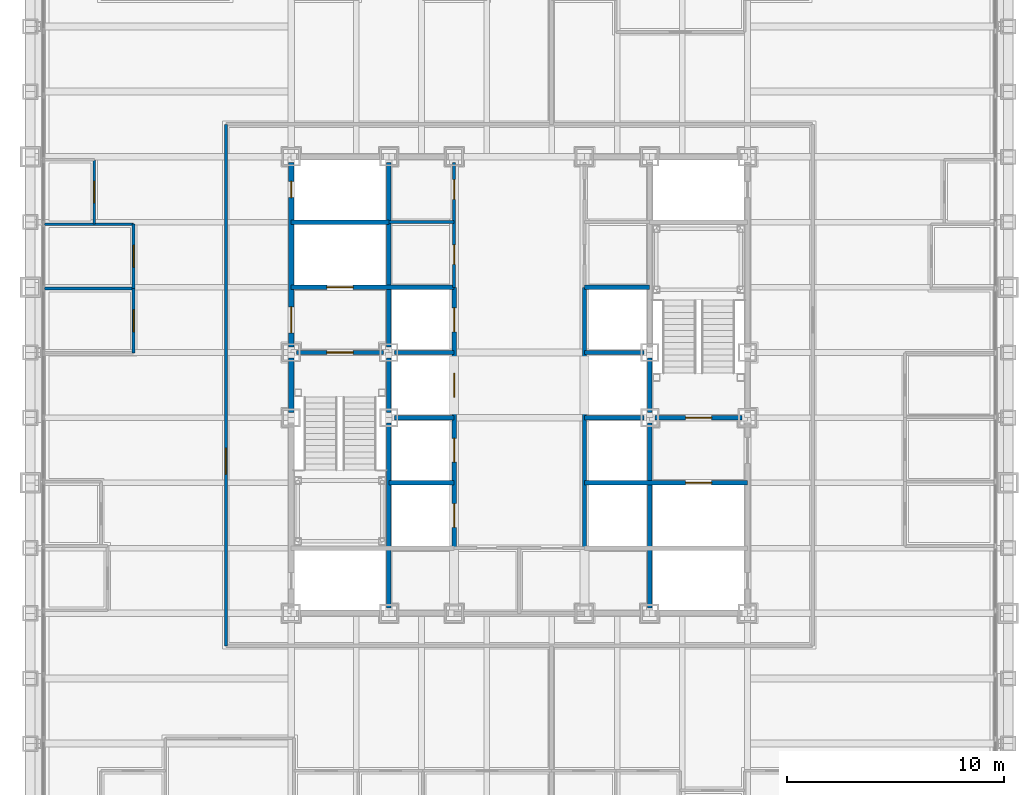
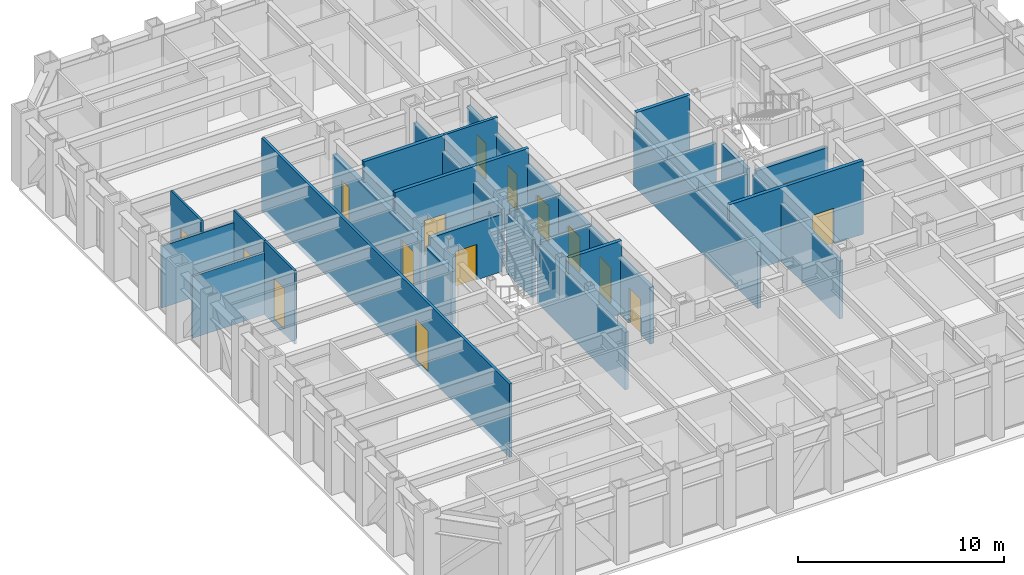
# One storey, part 9 of 16: 28 walls, 16 doors, 16 openings.
"""IFC4 building model written with IfcOpenShell, lengths in metres."""

from ifc_helpers import new_model, si_unit, direction, frame, frame_2d, origin, place, context, subcontext, project, spatial, rectangle, extrude, material, layer, layer_set, type_object, element, fill, save


model = new_model("IFC4")

# Units and contexts
model_context = context("Model", 3, precision=1e-05, world=origin(), true_north=direction((0.0, 1.0)))
body_context = subcontext(model_context, "Body", "Model", "MODEL_VIEW")
ifc_project = project(units=[si_unit("LENGTHUNIT", "METRE"), si_unit("AREAUNIT", "SQUARE_METRE"), si_unit("VOLUMEUNIT", "CUBIC_METRE"), si_unit("PLANEANGLEUNIT", "RADIAN"), si_unit("MASSUNIT", "GRAM", prefix="KILO")], contexts=[model_context])

# Site, building, storey
site_placement = place(None, origin())
site = spatial("IfcSite", under=ifc_project, at=site_placement, CompositionType="ELEMENT")
building_placement = place(site_placement, origin())
building = spatial("IfcBuilding", under=site, at=building_placement, Name="Chuquiago Exchange Tower", CompositionType="ELEMENT")
storey_placement = place(building_placement, frame((0.0, 0.0, 55.800048828125)))
storey = spatial("IfcBuildingStorey", under=building, at=storey_placement, Name="L11", CompositionType="ELEMENT", Elevation=55.800048828125)

# Wall
ifc_material_1 = material(Name="Concrete masonry, fully grouted", Category="masonry")
ifc_layer_1 = layer(ifc_material_1, 0.25)
ifc_layer_set_1 = layer_set([ifc_layer_1], Name="W1 core wall 250")
wall_type_1 = type_object("IfcWallType", Name="W1 core wall 250", PredefinedType="SOLIDWALL", material=ifc_layer_set_1)
wall_1_placement = place(storey_placement, frame((12.0, 21.25, 0.0), z_axis=(0.0, 0.0, 1.0), x_axis=(0.0, 1.0, 0.0)))
element("IfcWall", 1, at=wall_1_placement, inside=storey, type_object=wall_type_1, Name="CW-L11-00-1", PredefinedType="SOLIDWALL", context=body_context, shape_type="SweptSolid", body=[
    extrude(rectangle(XDim=2.5, YDim=0.25, at=frame_2d((1.25, 0.0))), origin(), (0.0, 0.0, 1.0), 3.11279296875),
])

# Wall, openings, doors
wall_2_placement = place(storey_placement, frame((12.0, 24.25, 0.0), z_axis=(0.0, 0.0, 1.0), x_axis=(0.0, 1.0, 0.0)))
wall_2 = element("IfcWall", 2, at=wall_2_placement, inside=storey, type_object=wall_type_1, Name="CW-L11-00-2", PredefinedType="SOLIDWALL", context=body_context, shape_type="SweptSolid", body=[
    extrude(rectangle(XDim=8.5, YDim=0.25, at=frame_2d((4.25, 0.0))), origin(), (0.0, 0.0, 1.0), 3.11279296875),
])
opening_1_placement = place(wall_2_placement, frame((0.64990234375, 0.0, 0.0)))
opening_1 = element("IfcOpeningElement", 3, at=opening_1_placement, cuts=wall_2, Name="Opening L11-002", PredefinedType="OPENING", context=body_context, shape_type="SweptSolid", body=[
    extrude(rectangle(XDim=1.199951171875, YDim=2.10009765625, at=frame_2d((0.60009765625, 1.050048828125))), frame((0.0, 0.135009765625, 0.0), z_axis=(0.0, -1.0, 0.0), x_axis=(1.0, 0.0, 0.0)), (0.0, 0.0, 1.0), 0.27001953125),
])
opening_2_placement = place(wall_2_placement, frame((6.875, 0.0, 0.0)))
opening_2 = element("IfcOpeningElement", 4, at=opening_2_placement, cuts=wall_2, Name="Opening L11-008", PredefinedType="OPENING", context=body_context, shape_type="SweptSolid", body=[
    extrude(rectangle(XDim=0.75, YDim=2.10009765625, at=frame_2d((0.375, 1.050048828125))), frame((0.0, 0.135009765625, 0.0), z_axis=(0.0, -1.0, 0.0), x_axis=(1.0, 0.0, 0.0)), (0.0, 0.0, 1.0), 0.27001953125),
])
ifc_material_2 = material(Name="Steel door, painted", Category="steel")
door_type_1 = type_object("IfcDoorType", Name="D5 firefighting lobby door 1200x2100", OperationType="SINGLE_SWING_LEFT", PredefinedType="DOOR", material=ifc_material_2)
door_1_placement = place(opening_1_placement, frame((1.199951171875, 0.0, 0.0), z_axis=(0.0, 0.0, 1.0), x_axis=(-1.0, 0.0, 0.0)))
door_1 = element("IfcDoor", 5, at=door_1_placement, inside=storey, type_object=door_type_1, Name="Firefighting lobby 1 door", OperationType="SINGLE_SWING_RIGHT", OverallHeight=2.10009765625, OverallWidth=1.199951171875, PredefinedType="DOOR", context=body_context, shape_type="SweptSolid", body=[
    extrude(rectangle(XDim=1.199951171875, YDim=2.10009765625, at=frame_2d((0.60009765625, 1.050048828125))), frame((0.0, 0.02490234375, 0.0), z_axis=(0.0, -1.0, 0.0), x_axis=(1.0, 0.0, 0.0)), (0.0, 0.0, 1.0), 0.050048828125),
])
fill(opening_1, door_1)
ifc_material_3 = material(Name="Steel door, painted", Category="steel")
door_type_2 = type_object("IfcDoorType", Name="D6 riser access door 750x2100", OperationType="SINGLE_SWING_LEFT", PredefinedType="DOOR", material=ifc_material_3)
door_2_placement = place(opening_2_placement, origin())
door_2 = element("IfcDoor", 6, at=door_2_placement, inside=storey, type_object=door_type_2, Name="Riser RW2 door", OperationType="SINGLE_SWING_RIGHT", OverallHeight=2.10009765625, OverallWidth=0.75, PredefinedType="DOOR", context=body_context, shape_type="SweptSolid", body=[
    extrude(rectangle(XDim=0.75, YDim=2.10009765625, at=frame_2d((0.375, 1.050048828125))), frame((0.0, 0.02490234375, 0.0), z_axis=(0.0, -1.0, 0.0), x_axis=(1.0, 0.0, 0.0)), (0.0, 0.0, 1.0), 0.050048828125),
])
fill(opening_2, door_2)

# Wall, opening, door
ifc_material_4 = material(Name="Gypsum board on steel studs, acoustic insulation", Category="steel")
ifc_layer_2 = layer(ifc_material_4, 0.14990234375)
ifc_layer_set_2 = layer_set([ifc_layer_2], Name="W11 corridor wall 150")
wall_type_2 = type_object("IfcWallType", Name="W11 corridor wall 150", PredefinedType="PARTITIONING", material=ifc_layer_set_2)
wall_3_placement = place(storey_placement, frame((9.0, 10.5, -0.300048828125), z_axis=(0.0, 0.0, 1.0), x_axis=(0.0, 1.0, 0.0)))
wall_3 = element("IfcWall", 7, at=wall_3_placement, inside=storey, type_object=wall_type_2, Name="PW-L11-CW", PredefinedType="PARTITIONING", context=body_context, shape_type="SweptSolid", body=[
    extrude(rectangle(XDim=24.0, YDim=0.14990234375, at=frame_2d((12.0, 0.0))), origin(), (0.0, 0.0, 1.0), 4.340087890625),
])
opening_3_placement = place(wall_3_placement, frame((7.89990234375, 0.0, 0.300048828125)))
opening_3 = element("IfcOpeningElement", 8, at=opening_3_placement, cuts=wall_3, Name="Opening L11-053", PredefinedType="OPENING", context=body_context, shape_type="SweptSolid", body=[
    extrude(rectangle(XDim=1.199951171875, YDim=2.39990234375, at=frame_2d((0.60009765625, 1.199951171875))), frame((0.0, 0.0849609375, 0.0), z_axis=(0.0, -1.0, 0.0), x_axis=(1.0, 0.0, 0.0)), (0.0, 0.0, 1.0), 0.169921875),
])
ifc_material_5 = material(Name="Timber door, laminate faced", Category="wood")
door_type_3 = type_object("IfcDoorType", Name="D13 suite entrance door 1200x2400", OperationType="SINGLE_SWING_LEFT", PredefinedType="DOOR", material=ifc_material_5)
door_3_placement = place(opening_3_placement, frame((1.199951171875, 0.0, 0.0), z_axis=(0.0, 0.0, 1.0), x_axis=(-1.0, 0.0, 0.0)))
door_3 = element("IfcDoor", 9, at=door_3_placement, inside=storey, type_object=door_type_3, Name="West suite entrance door", OperationType="SINGLE_SWING_RIGHT", OverallHeight=2.39990234375, OverallWidth=1.199951171875, PredefinedType="DOOR", context=body_context, shape_type="SweptSolid", body=[
    extrude(rectangle(XDim=1.199951171875, YDim=2.39990234375, at=frame_2d((0.60009765625, 1.199951171875))), frame((0.0, 0.02490234375, 0.0), z_axis=(0.0, -1.0, 0.0), x_axis=(1.0, 0.0, 0.0)), (0.0, 0.0, 1.0), 0.050048828125),
])
fill(opening_3, door_3)

ifc_material_6 = material(Name="Concrete masonry, fully grouted", Category="masonry")
ifc_layer_3 = layer(ifc_material_6, 0.199951171875)
ifc_layer_set_3 = layer_set([ifc_layer_3], Name="W2 shaft wall 200")
wall_type_3 = type_object("IfcWallType", Name="W2 shaft wall 200", PredefinedType="SOLIDWALL", material=ifc_layer_set_3)
wall_4_placement = place(storey_placement, frame((12.25, 24.0, 0.0), z_axis=(0.0, 0.0, 1.0), x_axis=(1.0, 0.0, 0.0)))
wall_4 = element("IfcWall", 10, at=wall_4_placement, inside=storey, type_object=wall_type_3, Name="CW-L11-05-0", PredefinedType="SOLIDWALL", context=body_context, shape_type="SweptSolid", body=[
    extrude(rectangle(XDim=4.0, YDim=0.199951171875, at=frame_2d((2.0, 0.0))), origin(), (0.0, 0.0, 1.0), 3.389892578125),
])
opening_4_placement = place(wall_4_placement, frame((1.39990234375, 0.0, 0.0)))
opening_4 = element("IfcOpeningElement", 11, at=opening_4_placement, cuts=wall_4, Name="Opening L11-001", PredefinedType="OPENING", context=body_context, shape_type="SweptSolid", body=[
    extrude(rectangle(XDim=1.199951171875, YDim=2.10009765625, at=frame_2d((0.60009765625, 1.050048828125))), frame((0.0, 0.10986328125, 0.0), z_axis=(0.0, -1.0, 0.0), x_axis=(1.0, 0.0, 0.0)), (0.0, 0.0, 1.0), 0.219970703125),
])
ifc_material_7 = material(Name="Steel door, painted", Category="steel")
door_type_4 = type_object("IfcDoorType", Name="D4 stair door 1200x2100", OperationType="SINGLE_SWING_LEFT", PredefinedType="DOOR", material=ifc_material_7)
door_4_placement = place(opening_4_placement, frame((1.199951171875, 0.0, 0.0), z_axis=(0.0, 0.0, 1.0), x_axis=(-1.0, 0.0, 0.0)))
door_4 = element("IfcDoor", 12, at=door_4_placement, inside=storey, type_object=door_type_4, Name="Stair ST1 door", OperationType="SINGLE_SWING_RIGHT", OverallHeight=2.10009765625, OverallWidth=1.199951171875, PredefinedType="DOOR", context=body_context, shape_type="SweptSolid", body=[
    extrude(rectangle(XDim=1.199951171875, YDim=2.10009765625, at=frame_2d((0.60009765625, 1.050048828125))), frame((0.0, 0.02490234375, 0.0), z_axis=(0.0, -1.0, 0.0), x_axis=(1.0, 0.0, 0.0)), (0.0, 0.0, 1.0), 0.050048828125),
])
fill(opening_4, door_4)

# Walls
for number, where, z_axis, x_axis, name in (
    (13, (16.75, 24.0, 0.0), (0.0, 0.0, 1.0), (1.0, 0.0, 0.0), "CW-L11-05-1"),
    (14, (25.5, 24.0, 0.0), (0.0, 0.0, 1.0), (1.0, 0.0, 0.0), "CW-L11-06-0"),
):
    element("IfcWall", number, at=place(storey_placement, frame(where, z_axis=z_axis, x_axis=x_axis)), inside=storey, type_object=wall_type_3, Name=name, PredefinedType="SOLIDWALL", context=body_context, shape_type="SweptSolid", body=[
        extrude(rectangle(XDim=2.75, YDim=0.199951171875, at=frame_2d((1.375, 0.0))), origin(), (0.0, 0.0, 1.0), 3.389892578125),
    ])

# Wall, opening, door
wall_5_placement = place(storey_placement, frame((12.0, 27.0, 0.0), z_axis=(0.0, 0.0, 1.0), x_axis=(1.0, 0.0, 0.0)))
wall_5 = element("IfcWall", 15, at=wall_5_placement, inside=storey, type_object=wall_type_3, Name="CW-L11-07-0", PredefinedType="SOLIDWALL", context=body_context, shape_type="SweptSolid", body=[
    extrude(rectangle(XDim=7.5, YDim=0.199951171875, at=frame_2d((3.75, 0.0))), origin(), (0.0, 0.0, 1.0), 4.33984375),
])
opening_5_placement = place(wall_5_placement, frame((1.64990234375, 0.0, 0.0)))
opening_5 = element("IfcOpeningElement", 16, at=opening_5_placement, cuts=wall_5, Name="Opening L11-005", PredefinedType="OPENING", context=body_context, shape_type="SweptSolid", body=[
    extrude(rectangle(XDim=1.199951171875, YDim=2.10009765625, at=frame_2d((0.60009765625, 1.050048828125))), frame((0.0, 0.10986328125, 0.0), z_axis=(0.0, -1.0, 0.0), x_axis=(1.0, 0.0, 0.0)), (0.0, 0.0, 1.0), 0.219970703125),
])
ifc_material_8 = material(Name="Stainless steel lift landing door", Category="steel")
door_type_5 = type_object("IfcDoorType", Name="LD2 firefighting lift landing door 1200x2100", OperationType="DOUBLE_DOOR_SLIDING", PredefinedType="DOOR", material=ifc_material_8)
door_5_placement = place(opening_5_placement, origin())
door_5 = element("IfcDoor", 17, at=door_5_placement, inside=storey, type_object=door_type_5, Name="Firefighting lift FL1 landing door", OperationType="DOUBLE_DOOR_SLIDING", OverallHeight=2.10009765625, OverallWidth=1.199951171875, PredefinedType="DOOR", context=body_context, shape_type="SweptSolid", body=[
    extrude(rectangle(XDim=1.199951171875, YDim=2.10009765625, at=frame_2d((0.60009765625, 1.050048828125))), frame((0.0, 0.02490234375, 0.0), z_axis=(0.0, -1.0, 0.0), x_axis=(1.0, 0.0, 0.0)), (0.0, 0.0, 1.0), 0.050048828125),
])
fill(opening_5, door_5)

# Walls
wall_6_placement = place(storey_placement, frame((25.5, 27.0, 0.0), z_axis=(0.0, 0.0, 1.0), x_axis=(1.0, 0.0, 0.0)))
element("IfcWall", 18, at=wall_6_placement, inside=storey, type_object=wall_type_3, Name="CW-L11-08-0", PredefinedType="SOLIDWALL", context=body_context, shape_type="SweptSolid", body=[
    extrude(rectangle(XDim=3.0, YDim=0.199951171875, at=frame_2d((1.5, 0.0))), origin(), (0.0, 0.0, 1.0), 4.33984375),
])
wall_7_placement = place(storey_placement, frame((12.0, 30.0, 0.0), z_axis=(0.0, 0.0, 1.0), x_axis=(1.0, 0.0, 0.0)))
element("IfcWall", 19, at=wall_7_placement, inside=storey, type_object=wall_type_3, Name="CW-L11-09-0", PredefinedType="SOLIDWALL", context=body_context, shape_type="SweptSolid", body=[
    extrude(rectangle(XDim=4.5, YDim=0.199951171875, at=frame_2d((2.25, 0.0))), origin(), (0.0, 0.0, 1.0), 4.33984375),
])
wall_8_placement = place(storey_placement, frame((16.5, 12.25, 0.0), z_axis=(0.0, 0.0, 1.0), x_axis=(0.0, 1.0, 0.0)))
element("IfcWall", 20, at=wall_8_placement, inside=storey, type_object=wall_type_3, Name="CW-L11-13-0", PredefinedType="SOLIDWALL", context=body_context, shape_type="SweptSolid", body=[
    extrude(rectangle(XDim=8.5, YDim=0.199951171875, at=frame_2d((4.25, 0.0))), origin(), (0.0, 0.0, 1.0), 3.412841796875),
])
wall_9_placement = place(storey_placement, frame((16.5, 21.25, 0.0), z_axis=(0.0, 0.0, 1.0), x_axis=(0.0, 1.0, 0.0)))
element("IfcWall", 21, at=wall_9_placement, inside=storey, type_object=wall_type_3, Name="CW-L11-13-1", PredefinedType="SOLIDWALL", context=body_context, shape_type="SweptSolid", body=[
    extrude(rectangle(XDim=2.5, YDim=0.199951171875, at=frame_2d((1.25, 0.0))), origin(), (0.0, 0.0, 1.0), 3.412841796875),
])
wall_10_placement = place(storey_placement, frame((16.5, 24.25, 0.0), z_axis=(0.0, 0.0, 1.0), x_axis=(0.0, 1.0, 0.0)))
element("IfcWall", 22, at=wall_10_placement, inside=storey, type_object=wall_type_3, Name="CW-L11-13-2", PredefinedType="SOLIDWALL", context=body_context, shape_type="SweptSolid", body=[
    extrude(rectangle(XDim=8.5, YDim=0.199951171875, at=frame_2d((4.25, 0.0))), origin(), (0.0, 0.0, 1.0), 3.412841796875),
])
wall_11_placement = place(storey_placement, frame((16.5, 18.0, 0.0), z_axis=(0.0, 0.0, 1.0), x_axis=(1.0, 0.0, 0.0)))
element("IfcWall", 23, at=wall_11_placement, inside=storey, type_object=wall_type_3, Name="CW-L11-14-0", PredefinedType="SOLIDWALL", context=body_context, shape_type="SweptSolid", body=[
    extrude(rectangle(XDim=3.0, YDim=0.199951171875, at=frame_2d((1.5, 0.0))), origin(), (0.0, 0.0, 1.0), 4.33984375),
])

# Wall, opening, door
wall_12_placement = place(storey_placement, frame((25.5, 18.0, 0.0), z_axis=(0.0, 0.0, 1.0), x_axis=(1.0, 0.0, 0.0)))
wall_12 = element("IfcWall", 24, at=wall_12_placement, inside=storey, type_object=wall_type_3, Name="CW-L11-15-0", PredefinedType="SOLIDWALL", context=body_context, shape_type="SweptSolid", body=[
    extrude(rectangle(XDim=7.5, YDim=0.199951171875, at=frame_2d((3.75, 0.0))), origin(), (0.0, 0.0, 1.0), 4.33984375),
])
opening_6_placement = place(wall_12_placement, frame((4.64990234375, 0.0, 0.0)))
opening_6 = element("IfcOpeningElement", 25, at=opening_6_placement, cuts=wall_12, Name="Opening L11-006", PredefinedType="OPENING", context=body_context, shape_type="SweptSolid", body=[
    extrude(rectangle(XDim=1.199951171875, YDim=2.10009765625, at=frame_2d((0.60009765625, 1.050048828125))), frame((0.0, 0.10986328125, 0.0), z_axis=(0.0, -1.0, 0.0), x_axis=(1.0, 0.0, 0.0)), (0.0, 0.0, 1.0), 0.219970703125),
])
door_6_placement = place(opening_6_placement, origin())
door_6 = element("IfcDoor", 26, at=door_6_placement, inside=storey, type_object=door_type_5, Name="Firefighting lift FL2 landing door", OperationType="DOUBLE_DOOR_SLIDING", OverallHeight=2.10009765625, OverallWidth=1.199951171875, PredefinedType="DOOR", context=body_context, shape_type="SweptSolid", body=[
    extrude(rectangle(XDim=1.199951171875, YDim=2.10009765625, at=frame_2d((0.60009765625, 1.050048828125))), frame((0.0, 0.02490234375, 0.0), z_axis=(0.0, -1.0, 0.0), x_axis=(1.0, 0.0, 0.0)), (0.0, 0.0, 1.0), 0.050048828125),
])
fill(opening_6, door_6)

# Walls
for number, where, z_axis, x_axis, name in (
    (27, (16.75, 21.0, 0.0), (0.0, 0.0, 1.0), (1.0, 0.0, 0.0), "CW-L11-16-0"),
    (28, (25.5, 21.0, 0.0), (0.0, 0.0, 1.0), (1.0, 0.0, 0.0), "CW-L11-17-0"),
):
    element("IfcWall", number, at=place(storey_placement, frame(where, z_axis=z_axis, x_axis=x_axis)), inside=storey, type_object=wall_type_3, Name=name, PredefinedType="SOLIDWALL", context=body_context, shape_type="SweptSolid", body=[
        extrude(rectangle(XDim=2.75, YDim=0.199951171875, at=frame_2d((1.375, 0.0))), origin(), (0.0, 0.0, 1.0), 3.389892578125),
    ])

# Wall, opening, door
wall_13_placement = place(storey_placement, frame((28.75, 21.0, 0.0), z_axis=(0.0, 0.0, 1.0), x_axis=(1.0, 0.0, 0.0)))
wall_13 = element("IfcWall", 29, at=wall_13_placement, inside=storey, type_object=wall_type_3, Name="CW-L11-17-1", PredefinedType="SOLIDWALL", context=body_context, shape_type="SweptSolid", body=[
    extrude(rectangle(XDim=4.0, YDim=0.199951171875, at=frame_2d((2.0, 0.0))), origin(), (0.0, 0.0, 1.0), 3.389892578125),
])
opening_7_placement = place(wall_13_placement, frame((1.39990234375, 0.0, 0.0)))
opening_7 = element("IfcOpeningElement", 30, at=opening_7_placement, cuts=wall_13, Name="Opening L11-003", PredefinedType="OPENING", context=body_context, shape_type="SweptSolid", body=[
    extrude(rectangle(XDim=1.199951171875, YDim=2.10009765625, at=frame_2d((0.60009765625, 1.050048828125))), frame((0.0, 0.10986328125, 0.0), z_axis=(0.0, -1.0, 0.0), x_axis=(1.0, 0.0, 0.0)), (0.0, 0.0, 1.0), 0.219970703125),
])
door_7_placement = place(opening_7_placement, origin())
door_7 = element("IfcDoor", 31, at=door_7_placement, inside=storey, type_object=door_type_4, Name="Stair ST2 door", OperationType="SINGLE_SWING_LEFT", OverallHeight=2.10009765625, OverallWidth=1.199951171875, PredefinedType="DOOR", context=body_context, shape_type="SweptSolid", body=[
    extrude(rectangle(XDim=1.199951171875, YDim=2.10009765625, at=frame_2d((0.60009765625, 1.050048828125))), frame((0.0, 0.02490234375, 0.0), z_axis=(0.0, -1.0, 0.0), x_axis=(1.0, 0.0, 0.0)), (0.0, 0.0, 1.0), 0.050048828125),
])
fill(opening_7, door_7)

# Wall, openings, doors
wall_14_placement = place(storey_placement, frame((19.5, 15.0, 0.0), z_axis=(0.0, 0.0, 1.0), x_axis=(0.0, 1.0, 0.0)))
wall_14 = element("IfcWall", 32, at=wall_14_placement, inside=storey, type_object=wall_type_3, Name="CW-L11-19-0", PredefinedType="SOLIDWALL", context=body_context, shape_type="SweptSolid", body=[
    extrude(rectangle(XDim=12.0, YDim=0.199951171875, at=frame_2d((6.0, 0.0))), origin(), (0.0, 0.0, 1.0), 3.364501953125),
])
opening_8_placement = place(wall_14_placement, frame((0.949951171875, 0.0, 0.0)))
opening_8 = element("IfcOpeningElement", 33, at=opening_8_placement, cuts=wall_14, Name="Opening L11-017", PredefinedType="OPENING", context=body_context, shape_type="SweptSolid", body=[
    extrude(rectangle(XDim=1.10009765625, YDim=2.10009765625, at=frame_2d((0.550048828125, 1.050048828125))), frame((0.0, 0.10986328125, 0.0), z_axis=(0.0, -1.0, 0.0), x_axis=(1.0, 0.0, 0.0)), (0.0, 0.0, 1.0), 0.219970703125),
])
opening_9_placement = place(wall_14_placement, frame((3.949951171875, 0.0, 0.0)))
opening_9 = element("IfcOpeningElement", 34, at=opening_9_placement, cuts=wall_14, Name="Opening L11-018", PredefinedType="OPENING", context=body_context, shape_type="SweptSolid", body=[
    extrude(rectangle(XDim=1.10009765625, YDim=2.10009765625, at=frame_2d((0.550048828125, 1.050048828125))), frame((0.0, 0.10986328125, 0.0), z_axis=(0.0, -1.0, 0.0), x_axis=(1.0, 0.0, 0.0)), (0.0, 0.0, 1.0), 0.219970703125),
])
opening_10_placement = place(wall_14_placement, frame((6.949951171875, 0.0, 0.0)))
opening_10 = element("IfcOpeningElement", 35, at=opening_10_placement, cuts=wall_14, Name="Opening L11-019", PredefinedType="OPENING", context=body_context, shape_type="SweptSolid", body=[
    extrude(rectangle(XDim=1.10009765625, YDim=2.10009765625, at=frame_2d((0.550048828125, 1.050048828125))), frame((0.0, 0.10986328125, 0.0), z_axis=(0.0, -1.0, 0.0), x_axis=(1.0, 0.0, 0.0)), (0.0, 0.0, 1.0), 0.219970703125),
])
opening_11_placement = place(wall_14_placement, frame((9.949951171875, 0.0, 0.0)))
opening_11 = element("IfcOpeningElement", 36, at=opening_11_placement, cuts=wall_14, Name="Opening L11-020", PredefinedType="OPENING", context=body_context, shape_type="SweptSolid", body=[
    extrude(rectangle(XDim=1.10009765625, YDim=2.10009765625, at=frame_2d((0.550048828125, 1.050048828125))), frame((0.0, 0.10986328125, 0.0), z_axis=(0.0, -1.0, 0.0), x_axis=(1.0, 0.0, 0.0)), (0.0, 0.0, 1.0), 0.219970703125),
])
ifc_material_9 = material(Name="Stainless steel lift landing door", Category="steel")
door_type_6 = type_object("IfcDoorType", Name="LD1 lift landing door 1100x2100", OperationType="DOUBLE_DOOR_SLIDING", PredefinedType="DOOR", material=ifc_material_9)
door_8_placement = place(opening_8_placement, origin())
door_8 = element("IfcDoor", 37, at=door_8_placement, inside=storey, type_object=door_type_6, Name="Lift LA1 landing door", OperationType="DOUBLE_DOOR_SLIDING", OverallHeight=2.10009765625, OverallWidth=1.10009765625, PredefinedType="DOOR", context=body_context, shape_type="SweptSolid", body=[
    extrude(rectangle(XDim=1.10009765625, YDim=2.10009765625, at=frame_2d((0.550048828125, 1.050048828125))), frame((0.0, 0.02490234375, 0.0), z_axis=(0.0, -1.0, 0.0), x_axis=(1.0, 0.0, 0.0)), (0.0, 0.0, 1.0), 0.050048828125),
])
fill(opening_8, door_8)
door_9_placement = place(opening_9_placement, origin())
door_9 = element("IfcDoor", 38, at=door_9_placement, inside=storey, type_object=door_type_6, Name="Lift LA2 landing door", OperationType="DOUBLE_DOOR_SLIDING", OverallHeight=2.10009765625, OverallWidth=1.10009765625, PredefinedType="DOOR", context=body_context, shape_type="SweptSolid", body=[
    extrude(rectangle(XDim=1.10009765625, YDim=2.10009765625, at=frame_2d((0.550048828125, 1.050048828125))), frame((0.0, 0.02490234375, 0.0), z_axis=(0.0, -1.0, 0.0), x_axis=(1.0, 0.0, 0.0)), (0.0, 0.0, 1.0), 0.050048828125),
])
fill(opening_9, door_9)
door_10_placement = place(opening_10_placement, origin())
door_10 = element("IfcDoor", 39, at=door_10_placement, inside=storey, type_object=door_type_6, Name="Lift LA3 landing door", OperationType="DOUBLE_DOOR_SLIDING", OverallHeight=2.10009765625, OverallWidth=1.10009765625, PredefinedType="DOOR", context=body_context, shape_type="SweptSolid", body=[
    extrude(rectangle(XDim=1.10009765625, YDim=2.10009765625, at=frame_2d((0.550048828125, 1.050048828125))), frame((0.0, 0.02490234375, 0.0), z_axis=(0.0, -1.0, 0.0), x_axis=(1.0, 0.0, 0.0)), (0.0, 0.0, 1.0), 0.050048828125),
])
fill(opening_10, door_10)
door_11_placement = place(opening_11_placement, origin())
door_11 = element("IfcDoor", 40, at=door_11_placement, inside=storey, type_object=door_type_6, Name="Lift LA4 landing door", OperationType="DOUBLE_DOOR_SLIDING", OverallHeight=2.10009765625, OverallWidth=1.10009765625, PredefinedType="DOOR", context=body_context, shape_type="SweptSolid", body=[
    extrude(rectangle(XDim=1.10009765625, YDim=2.10009765625, at=frame_2d((0.550048828125, 1.050048828125))), frame((0.0, 0.02490234375, 0.0), z_axis=(0.0, -1.0, 0.0), x_axis=(1.0, 0.0, 0.0)), (0.0, 0.0, 1.0), 0.050048828125),
])
fill(opening_11, door_11)

# Walls
wall_15_placement = place(storey_placement, frame((25.5, 15.0, 0.0), z_axis=(0.0, 0.0, 1.0), x_axis=(0.0, 1.0, 0.0)))
element("IfcWall", 41, at=wall_15_placement, inside=storey, type_object=wall_type_3, Name="CW-L11-22-0", PredefinedType="SOLIDWALL", context=body_context, shape_type="SweptSolid", body=[
    extrude(rectangle(XDim=12.0, YDim=0.199951171875, at=frame_2d((6.0, 0.0))), origin(), (0.0, 0.0, 1.0), 3.364501953125),
])
wall_16_placement = place(storey_placement, frame((28.5, 12.25, 0.0), z_axis=(0.0, 0.0, 1.0), x_axis=(0.0, 1.0, 0.0)))
element("IfcWall", 42, at=wall_16_placement, inside=storey, type_object=wall_type_3, Name="CW-L11-24-0", PredefinedType="SOLIDWALL", context=body_context, shape_type="SweptSolid", body=[
    extrude(rectangle(XDim=8.5, YDim=0.199951171875, at=frame_2d((4.25, 0.0))), origin(), (0.0, 0.0, 1.0), 3.412841796875),
])
wall_17_placement = place(storey_placement, frame((28.5, 21.25, 0.0), z_axis=(0.0, 0.0, 1.0), x_axis=(0.0, 1.0, 0.0)))
element("IfcWall", 43, at=wall_17_placement, inside=storey, type_object=wall_type_3, Name="CW-L11-24-1", PredefinedType="SOLIDWALL", context=body_context, shape_type="SweptSolid", body=[
    extrude(rectangle(XDim=2.5, YDim=0.199951171875, at=frame_2d((1.25, 0.0))), origin(), (0.0, 0.0, 1.0), 3.412841796875),
])

# Wall, openings, doors
ifc_material_10 = material(Name="Gypsum board on steel studs", Category="steel")
ifc_layer_4 = layer(ifc_material_10, 0.14990234375)
ifc_layer_set_4 = layer_set([ifc_layer_4], Name="W3 core partition 150")
wall_type_4 = type_object("IfcWallType", Name="W3 core partition 150", PredefinedType="PARTITIONING", material=ifc_layer_set_4)
wall_18_placement = place(storey_placement, frame((19.5, 27.0, 0.0), z_axis=(0.0, 0.0, 1.0), x_axis=(0.0, 1.0, 0.0)))
wall_18 = element("IfcWall", 44, at=wall_18_placement, inside=storey, type_object=wall_type_4, Name="CW-L11-20-0", PredefinedType="PARTITIONING", context=body_context, shape_type="SweptSolid", body=[
    extrude(rectangle(XDim=5.75, YDim=0.14990234375, at=frame_2d((2.875, 0.0))), origin(), (0.0, 0.0, 1.0), 3.364501953125),
])
opening_12_placement = place(wall_18_placement, frame((1.050048828125, 0.0, 0.0)))
opening_12 = element("IfcOpeningElement", 45, at=opening_12_placement, cuts=wall_18, Name="Opening L11-011", PredefinedType="OPENING", context=body_context, shape_type="SweptSolid", body=[
    extrude(rectangle(XDim=0.89990234375, YDim=2.10009765625, at=frame_2d((0.449951171875, 1.050048828125))), frame((0.0, 0.0849609375, 0.0), z_axis=(0.0, -1.0, 0.0), x_axis=(1.0, 0.0, 0.0)), (0.0, 0.0, 1.0), 0.169921875),
])
opening_13_placement = place(wall_18_placement, frame((4.050048828125, 0.0, 0.0)))
opening_13 = element("IfcOpeningElement", 46, at=opening_13_placement, cuts=wall_18, Name="Opening L11-012", PredefinedType="OPENING", context=body_context, shape_type="SweptSolid", body=[
    extrude(rectangle(XDim=0.89990234375, YDim=2.10009765625, at=frame_2d((0.449951171875, 1.050048828125))), frame((0.0, 0.0849609375, 0.0), z_axis=(0.0, -1.0, 0.0), x_axis=(1.0, 0.0, 0.0)), (0.0, 0.0, 1.0), 0.169921875),
])
ifc_material_11 = material(Name="Timber door, laminate faced", Category="wood")
door_type_7 = type_object("IfcDoorType", Name="D16 core room door 900x2100", OperationType="SINGLE_SWING_LEFT", PredefinedType="DOOR", material=ifc_material_11)
door_12_placement = place(opening_13_placement, origin())
door_12 = element("IfcDoor", 47, at=door_12_placement, inside=storey, type_object=door_type_7, Name="Staff shower room door", OperationType="SINGLE_SWING_RIGHT", OverallHeight=2.10009765625, OverallWidth=0.89990234375, PredefinedType="DOOR", context=body_context, shape_type="SweptSolid", body=[
    extrude(rectangle(XDim=0.89990234375, YDim=2.10009765625, at=frame_2d((0.449951171875, 1.050048828125))), frame((0.0, 0.02490234375, 0.0), z_axis=(0.0, -1.0, 0.0), x_axis=(1.0, 0.0, 0.0)), (0.0, 0.0, 1.0), 0.050048828125),
])
fill(opening_13, door_12)
ifc_material_12 = material(Name="Timber door, laminate faced", Category="wood")
door_type_8 = type_object("IfcDoorType", Name="D7 toilet door 900x2100", OperationType="SINGLE_SWING_LEFT", PredefinedType="DOOR", material=ifc_material_12)
door_13_placement = place(opening_12_placement, origin())
door_13 = element("IfcDoor", 48, at=door_13_placement, inside=storey, type_object=door_type_8, Name="Male WC door", OperationType="SINGLE_SWING_LEFT", OverallHeight=2.10009765625, OverallWidth=0.89990234375, PredefinedType="DOOR", context=body_context, shape_type="SweptSolid", body=[
    extrude(rectangle(XDim=0.89990234375, YDim=2.10009765625, at=frame_2d((0.449951171875, 1.050048828125))), frame((0.0, 0.02490234375, 0.0), z_axis=(0.0, -1.0, 0.0), x_axis=(1.0, 0.0, 0.0)), (0.0, 0.0, 1.0), 0.050048828125),
])
fill(opening_12, door_13)

# Walls
wall_19_placement = place(storey_placement, frame((16.5, 30.0, 0.0), z_axis=(0.0, 0.0, 1.0), x_axis=(1.0, 0.0, 0.0)))
element("IfcWall", 49, at=wall_19_placement, inside=storey, type_object=wall_type_4, Name="CW-L11-WCMS", PredefinedType="PARTITIONING", context=body_context, shape_type="SweptSolid", body=[
    extrude(rectangle(XDim=3.0, YDim=0.14990234375, at=frame_2d((1.5, 0.0))), origin(), (0.0, 0.0, 1.0), 4.33984375),
])
ifc_material_13 = material(Name="Gypsum board on steel studs", Category="steel")
ifc_layer_5 = layer(ifc_material_13, 0.1201171875)
ifc_layer_set_5 = layer_set([ifc_layer_5], Name="W4 partition 120")
wall_type_5 = type_object("IfcWallType", Name="W4 partition 120", PredefinedType="PARTITIONING", material=ifc_layer_set_5)
for number, where, z_axis, x_axis, name in (
    (50, (0.657470703125, 26.942626953125, -0.300048828125), (0.0, 0.0, 1.0), (1.0, 0.0, 0.0), "PW-L11-W02694"),
    (51, (0.657470703125, 29.904296875, -0.300048828125), (0.0, 0.0, 1.0), (1.0, 0.0, 0.0), "PW-L11-W02990"),
):
    element("IfcWall", number, at=place(storey_placement, frame(where, z_axis=z_axis, x_axis=x_axis)), inside=storey, type_object=wall_type_5, Name=name, PredefinedType="PARTITIONING", context=body_context, shape_type="SweptSolid", body=[
        extrude(rectangle(XDim=4.092529296875, YDim=0.1201171875, at=frame_2d((2.04638671875, 0.0))), origin(), (0.0, 0.0, 1.0), 3.646484375),
    ])

# Wall, opening, door
wall_20_placement = place(storey_placement, frame((4.75, 23.98095703125, -0.300048828125), z_axis=(0.0, 0.0, 1.0), x_axis=(0.0, 1.0, 0.0)))
wall_20 = element("IfcWall", 52, at=wall_20_placement, inside=storey, type_object=wall_type_5, Name="PW-L11-WF02398", PredefinedType="PARTITIONING", context=body_context, shape_type="SweptSolid", body=[
    extrude(rectangle(XDim=2.961669921875, YDim=0.1201171875, at=frame_2d((1.48095703125, 0.0))), origin(), (0.0, 0.0, 1.0), 4.340087890625),
])
opening_14_placement = place(wall_20_placement, frame((0.98095703125, 0.0, 0.300048828125)))
opening_14 = element("IfcOpeningElement", 53, at=opening_14_placement, cuts=wall_20, Name="Opening L11-050", PredefinedType="OPENING", context=body_context, shape_type="SweptSolid", body=[
    extrude(rectangle(XDim=1.0, YDim=2.39990234375, at=frame_2d((0.5, 1.199951171875))), frame((0.0, 0.070068359375, 0.0), z_axis=(0.0, -1.0, 0.0), x_axis=(1.0, 0.0, 0.0)), (0.0, 0.0, 1.0), 0.14013671875),
])
ifc_material_14 = material(Name="Timber door, laminate faced", Category="wood")
door_type_9 = type_object("IfcDoorType", Name="D9 room door 1000x2400", OperationType="SINGLE_SWING_LEFT", PredefinedType="DOOR", material=ifc_material_14)
door_14_placement = place(opening_14_placement, origin())
door_14 = element("IfcDoor", 54, at=door_14_placement, inside=storey, type_object=door_type_9, Name="Office door", OperationType="SINGLE_SWING_RIGHT", OverallHeight=2.39990234375, OverallWidth=1.0, PredefinedType="DOOR", context=body_context, shape_type="SweptSolid", body=[
    extrude(rectangle(XDim=1.0, YDim=2.39990234375, at=frame_2d((0.5, 1.199951171875))), frame((0.0, 0.02490234375, 0.0), z_axis=(0.0, -1.0, 0.0), x_axis=(1.0, 0.0, 0.0)), (0.0, 0.0, 1.0), 0.050048828125),
])
fill(opening_14, door_14)

wall_21_placement = place(storey_placement, frame((4.75, 26.942626953125, -0.300048828125), z_axis=(0.0, 0.0, 1.0), x_axis=(0.0, 1.0, 0.0)))
wall_21 = element("IfcWall", 55, at=wall_21_placement, inside=storey, type_object=wall_type_5, Name="PW-L11-WF02694", PredefinedType="PARTITIONING", context=body_context, shape_type="SweptSolid", body=[
    extrude(rectangle(XDim=2.961669921875, YDim=0.1201171875, at=frame_2d((1.48095703125, 0.0))), origin(), (0.0, 0.0, 1.0), 4.340087890625),
])
opening_15_placement = place(wall_21_placement, frame((0.98095703125, 0.0, 0.300048828125)))
opening_15 = element("IfcOpeningElement", 56, at=opening_15_placement, cuts=wall_21, Name="Opening L11-051", PredefinedType="OPENING", context=body_context, shape_type="SweptSolid", body=[
    extrude(rectangle(XDim=1.0, YDim=2.39990234375, at=frame_2d((0.5, 1.199951171875))), frame((0.0, 0.070068359375, 0.0), z_axis=(0.0, -1.0, 0.0), x_axis=(1.0, 0.0, 0.0)), (0.0, 0.0, 1.0), 0.14013671875),
])
door_15_placement = place(opening_15_placement, origin())
door_15 = element("IfcDoor", 57, at=door_15_placement, inside=storey, type_object=door_type_9, Name="Office door", OperationType="SINGLE_SWING_LEFT", OverallHeight=2.39990234375, OverallWidth=1.0, PredefinedType="DOOR", context=body_context, shape_type="SweptSolid", body=[
    extrude(rectangle(XDim=1.0, YDim=2.39990234375, at=frame_2d((0.5, 1.199951171875))), frame((0.0, 0.02490234375, 0.0), z_axis=(0.0, -1.0, 0.0), x_axis=(1.0, 0.0, 0.0)), (0.0, 0.0, 1.0), 0.050048828125),
])
fill(opening_15, door_15)

wall_22_placement = place(storey_placement, frame((2.949951171875, 29.904296875, -0.300048828125), z_axis=(0.0, 0.0, 1.0), x_axis=(0.0, 1.0, 0.0)))
wall_22 = element("IfcWall", 58, at=wall_22_placement, inside=storey, type_object=wall_type_5, Name="PW-L11-WF02990", PredefinedType="PARTITIONING", context=body_context, shape_type="SweptSolid", body=[
    extrude(rectangle(XDim=2.9619140625, YDim=0.1201171875, at=frame_2d((1.48095703125, 0.0))), origin(), (0.0, 0.0, 1.0), 4.340087890625),
])
opening_16_placement = place(wall_22_placement, frame((0.98095703125, 0.0, 0.300048828125)))
opening_16 = element("IfcOpeningElement", 59, at=opening_16_placement, cuts=wall_22, Name="Opening L11-052", PredefinedType="OPENING", context=body_context, shape_type="SweptSolid", body=[
    extrude(rectangle(XDim=1.0, YDim=2.39990234375, at=frame_2d((0.5, 1.199951171875))), frame((0.0, 0.070068359375, 0.0), z_axis=(0.0, -1.0, 0.0), x_axis=(1.0, 0.0, 0.0)), (0.0, 0.0, 1.0), 0.14013671875),
])
ifc_material_15 = material(Name="Timber frame door, full height glazed panel", Category="wood")
door_type_10 = type_object("IfcDoorType", Name="D14 glazed meeting room door 1000x2400", OperationType="SINGLE_SWING_LEFT", PredefinedType="DOOR", material=ifc_material_15)
door_16_placement = place(opening_16_placement, origin())
door_16 = element("IfcDoor", 60, at=door_16_placement, inside=storey, type_object=door_type_10, Name="Focus room door", OperationType="SINGLE_SWING_LEFT", OverallHeight=2.39990234375, OverallWidth=1.0, PredefinedType="DOOR", context=body_context, shape_type="SweptSolid", body=[
    extrude(rectangle(XDim=1.0, YDim=2.39990234375, at=frame_2d((0.5, 1.199951171875))), frame((0.0, 0.02490234375, 0.0), z_axis=(0.0, -1.0, 0.0), x_axis=(1.0, 0.0, 0.0)), (0.0, 0.0, 1.0), 0.050048828125),
])
fill(opening_16, door_16)

save(model, "model.ifc")
